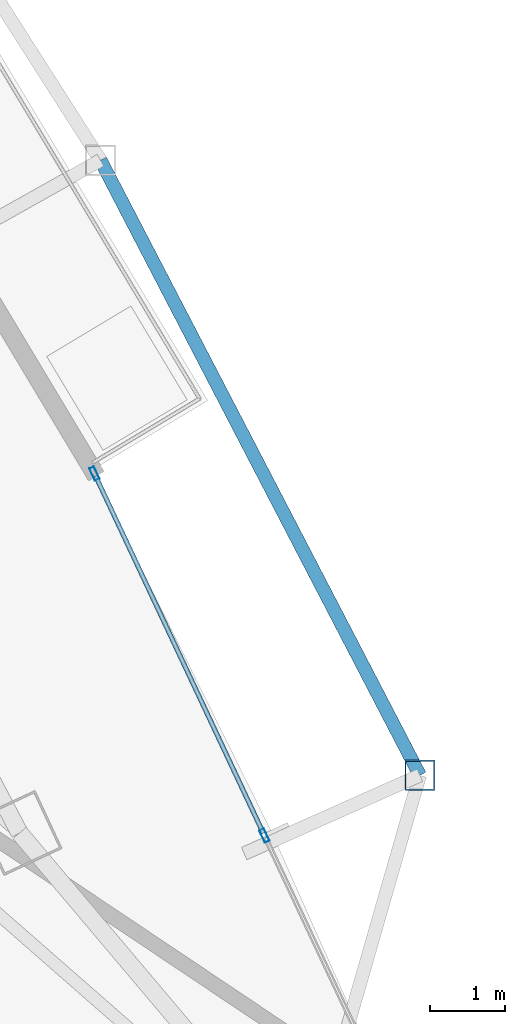
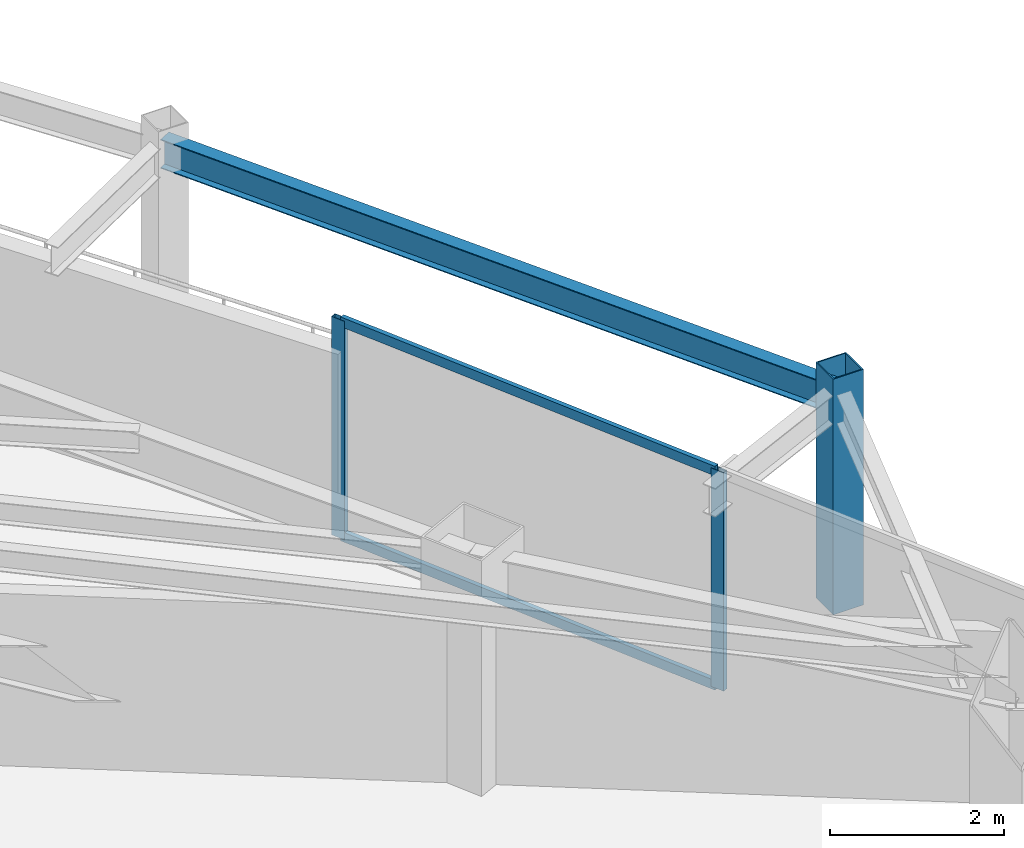
# One storey, part 19 of 30: 5 members, 1 beam, 1 element without a shape of its own.
"""IFC4 building model written with IfcOpenShell, lengths in metres."""

from ifc_helpers import new_model, si_unit, direction, frame, origin, origin_2d, place, context, subcontext, project, spatial, hollow_rectangle, i_section, extrude, material, layer, layer_set, material_profile, profile_set, type_object, element, aggregate, save


model = new_model("IFC4")

# Units and contexts
model_context = context("Model", 3, precision=1e-05, world=origin(), true_north=direction((0.0, 1.0)))
body_context = subcontext(model_context, "Body", "Model", "MODEL_VIEW")
ifc_project = project(units=[si_unit("LENGTHUNIT", "METRE"), si_unit("AREAUNIT", "SQUARE_METRE"), si_unit("VOLUMEUNIT", "CUBIC_METRE"), si_unit("PLANEANGLEUNIT", "RADIAN"), si_unit("MASSUNIT", "GRAM", prefix="KILO")], contexts=[model_context])

# Site, building, storey
site_placement = place(None, origin())
site = spatial("IfcSite", under=ifc_project, at=site_placement, CompositionType="ELEMENT")
building_placement = place(site_placement, origin())
building = spatial("IfcBuilding", under=site, at=building_placement, Name="Orvanel Arch Residences", CompositionType="ELEMENT")
storey_placement = place(building_placement, frame((0.0, 0.0, 180.35009765625)))
storey = spatial("IfcBuildingStorey", under=building, at=storey_placement, Name="L51", CompositionType="ELEMENT", Elevation=180.35009765625)

# Curtain wall, members
ifc_material_1 = material(Name="Bronze-anodised aluminium AA6063-T6", Category="aluminium")
ifc_layer = layer(ifc_material_1, 0.179931640625)
ifc_layer_set = layer_set([ifc_layer], Name="Bronze-anodised aluminium AA6063-T6")
curtain_wall_type = type_object("IfcCurtainWallType", Name="CW3-MID-SYS", PredefinedType="NOTDEFINED", material=ifc_layer_set)
curtain_wall_placement = place(storey_placement, origin())
curtain_wall = element("IfcCurtainWall", 1, at=curtain_wall_placement, inside=storey, type_object=curtain_wall_type, Name="L51 CW3-MID-SYS Unitised Curtain Wall", PredefinedType="NOTDEFINED")
ifc_material_profile_1 = material_profile(ifc_material_1, hollow_rectangle(XDim=0.070068359375, YDim=0.179931640625, WallThickness=0.00439453125, at=origin_2d()), Name="ALU180x70x4.5")
ifc_profile_set_1 = profile_set([ifc_material_profile_1], Name="Bronze-anodised aluminium AA6063-T6")
member_type_1 = type_object("IfcMemberType", Name="MUL-180x70", PredefinedType="MULLION", material=ifc_profile_set_1)
member_1_placement = place(storey_placement, frame((52.87939453125, 19.607421875, 0.0), z_axis=(0.0, 0.0, 1.0), x_axis=(-0.905189876787, -0.425007396362, 0.0)))
member_1 = element("IfcMember", 2, at=member_1_placement, type_object=member_type_1, Name="CW-S3 mullion 2", PredefinedType="MULLION", context=body_context, shape_type="SweptSolid", body=[
    extrude(hollow_rectangle(XDim=0.070068359375, YDim=0.179931640625, WallThickness=0.00439453125, at=origin_2d()), origin(), (0.0, 0.0, 1.0), 3.059814453125),
])
member_2_placement = place(storey_placement, frame((50.6259765625, 24.4072265625, 0.0), z_axis=(0.0, 0.0, 1.0), x_axis=(-0.905189876787, -0.425007396362, 0.0)))
member_2 = element("IfcMember", 3, at=member_2_placement, type_object=member_type_1, Name="CW-S3 mullion 3", PredefinedType="MULLION", context=body_context, shape_type="SweptSolid", body=[
    extrude(hollow_rectangle(XDim=0.070068359375, YDim=0.179931640625, WallThickness=0.00439453125, at=origin_2d()), origin(), (0.0, 0.0, 1.0), 3.059814453125),
])

# Beam
ifc_material_2 = material(Name="Structural steel AS/NZS 3679.1 Grade 300 (300 MPa)", Category="steel")
ifc_material_profile_2 = material_profile(ifc_material_2, i_section(OverallWidth=0.177978515625, OverallDepth=0.406005859375, WebThickness=0.0078125, FlangeThickness=0.0126953125, at=origin_2d()), Name="410UB59.7")
ifc_profile_set_2 = profile_set([ifc_material_profile_2], Name="Structural steel AS/NZS 3679.1 Grade 300 (300 MPa)")
beam_type = type_object("IfcBeamType", Name="OB-410UB-EXT", PredefinedType="SPANDREL", material=ifc_profile_set_2)
beam_placement = place(storey_placement, frame((54.93994140625, 20.406982421875, 2.85693359375), z_axis=(-0.460863171499, 0.887471203564, 0.0), x_axis=(-0.887471203564, -0.460863171499, 0.0)))
element("IfcBeam", 4, at=beam_placement, inside=storey, type_object=beam_type, Name="L51 Outer Perimeter Floor Ring Beam 09", PredefinedType="SPANDREL", context=body_context, shape_type="SweptSolid", body=[
    extrude(i_section(OverallWidth=0.177978515625, OverallDepth=0.406005859375, WebThickness=0.0078125, FlangeThickness=0.0126953125, at=origin_2d()), origin(), (0.0, 0.0, 1.0), 9.186767578125),
])

# Member
ifc_material_3 = material(Name="Structural steel AS/NZS 1163 C450L0 (Grade 450)", Category="steel")
ifc_material_profile_3 = material_profile(ifc_material_3, hollow_rectangle(XDim=0.39990234375, YDim=0.39990234375, WallThickness=0.01611328125, at=origin_2d()), Name="SHS400x400x16")
ifc_profile_set_3 = profile_set([ifc_material_profile_3], Name="Structural steel AS/NZS 1163 C450L0 (Grade 450)")
member_type_2 = type_object("IfcMemberType", Name="ST-400SHS-EXT", PredefinedType="STRUT", material=ifc_profile_set_3)
member_3_placement = place(storey_placement, frame((54.93994140625, 20.406982421875, 0.0), z_axis=(0.0, 0.0, 1.0), x_axis=(1.0, 0.0, 0.0)))
element("IfcMember", 5, at=member_3_placement, inside=storey, type_object=member_type_2, Name="L51 Outer Perimeter Frame Post 09", PredefinedType="STRUT", context=body_context, shape_type="SweptSolid", body=[
    extrude(hollow_rectangle(XDim=0.39990234375, YDim=0.39990234375, WallThickness=0.01611328125, at=origin_2d()), origin(), (0.0, 0.0, 1.0), 3.2998046875),
])

ifc_material_profile_4 = material_profile(ifc_material_1, hollow_rectangle(XDim=0.06005859375, YDim=0.135009765625, WallThickness=0.00390625, at=origin_2d()), Name="ALU135x60x4")
ifc_profile_set_4 = profile_set([ifc_material_profile_4], Name="Bronze-anodised aluminium AA6063-T6")
member_type_3 = type_object("IfcMemberType", Name="TRN-135x60", PredefinedType="USERDEFINED", material=ifc_profile_set_4)
member_4_placement = place(storey_placement, frame((52.86474609375, 19.63916015625, 0.02978515625), z_axis=(-0.424999206881, 0.905193721891, 0.0), x_axis=(-0.905193721891, -0.424999206881, 0.0)))
member_4 = element("IfcMember", 6, at=member_4_placement, type_object=member_type_3, Name="CW-S3 transom 2.1", ObjectType="TRANSOM", PredefinedType="USERDEFINED", context=body_context, shape_type="SweptSolid", body=[
    extrude(hollow_rectangle(XDim=0.06005859375, YDim=0.135009765625, WallThickness=0.00390625, at=origin_2d()), origin(), (0.0, 0.0, 1.0), 5.232666015625),
])

member_5_placement = place(storey_placement, frame((52.86474609375, 19.63916015625, 3.02978515625), z_axis=(-0.424999206881, 0.905193721891, 0.0), x_axis=(-0.905193721891, -0.424999206881, 0.0)))
member_5 = element("IfcMember", 7, at=member_5_placement, type_object=member_type_3, Name="CW-S3 transom 2.2", ObjectType="TRANSOM", PredefinedType="USERDEFINED", context=body_context, shape_type="SweptSolid", body=[
    extrude(hollow_rectangle(XDim=0.06005859375, YDim=0.135009765625, WallThickness=0.00390625, at=origin_2d()), origin(), (0.0, 0.0, 1.0), 5.232666015625),
])

aggregate(curtain_wall, [member_1, member_2, member_4, member_5])

save(model, "model.ifc")
